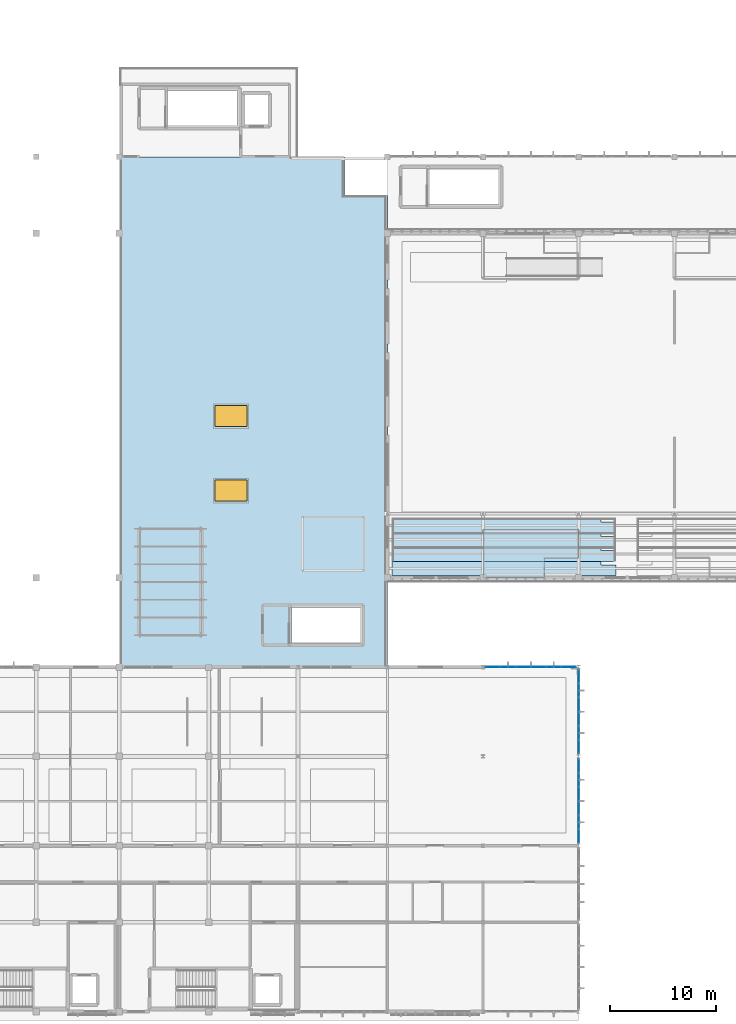
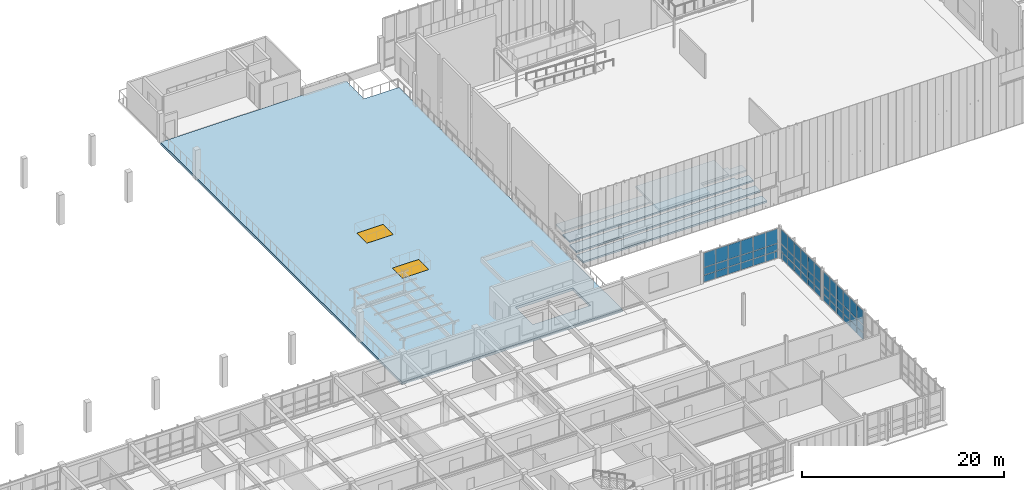
# One storey, part 36 of 67: 54 plates, 6 slabs, 2 windows, 2 openings, 3 elements without a shape of their own.
"""IFC4 building model written with IfcOpenShell, lengths in metres."""

from ifc_helpers import new_model, si_unit, direction, frame, origin, origin_2d, place, context, subcontext, project, spatial, polyline, rectangle, outline, extrude, material, layer, layer_set, type_object, element, fill, aggregate, save


model = new_model("IFC4")

# Units and contexts
model_context = context("Model", 3, precision=1e-05, world=origin(), true_north=direction((0.0, 1.0)))
body_context = subcontext(model_context, "Body", "Model", "MODEL_VIEW")
ifc_project = project(units=[si_unit("LENGTHUNIT", "METRE"), si_unit("AREAUNIT", "SQUARE_METRE"), si_unit("VOLUMEUNIT", "CUBIC_METRE"), si_unit("PLANEANGLEUNIT", "RADIAN"), si_unit("MASSUNIT", "GRAM", prefix="KILO")], contexts=[model_context])

# Site, building, storey
site_placement = place(None, origin())
site = spatial("IfcSite", under=ifc_project, at=site_placement, CompositionType="ELEMENT")
building_placement = place(site_placement, origin())
building = spatial("IfcBuilding", under=site, at=building_placement, Name="Tizgana Railside Sports Hall", CompositionType="ELEMENT")
storey_placement = place(building_placement, frame((0.0, 0.0, 12.0)))
storey = spatial("IfcBuildingStorey", under=building, at=storey_placement, Name="L02", CompositionType="ELEMENT", Elevation=12.0)

# Curtain wall, plates
ifc_material_1 = material(Name="Anodised aluminium and glass", Category="aluminium")
curtain_wall_type_1 = type_object("IfcCurtainWallType", Name="Unitised Curtain Wall Passage 1800", PredefinedType="NOTDEFINED", material=ifc_material_1)
curtain_wall_1_placement = place(storey_placement, origin())
curtain_wall_1 = element("IfcCurtainWall", 1, at=curtain_wall_1_placement, inside=storey, type_object=curtain_wall_type_1, Name="L02 Curtain Wall CW-0117", PredefinedType="NOTDEFINED")
ifc_material_2 = material(Name="Double low-E laminated glass", Category="glass")
ifc_layer_1 = layer(ifc_material_2, 0.033935546875, Name="Double low-E laminated glass")
ifc_layer_set_1 = layer_set([ifc_layer_1], Name="Double low-E laminated glass")
plate_type_1 = type_object("IfcPlateType", Name="Acoustic Laminated Glazing Panel 34", PredefinedType="CURTAIN_PANEL", material=ifc_layer_set_1)
plate_1_placement = place(storey_placement, frame((97.800048828125, 23.113037109375, 0.06494140625), z_axis=(0.0, 0.0, 1.0), x_axis=(0.0, -1.0, 0.0)))
plate_1 = element("IfcPlate", 2, at=plate_1_placement, type_object=plate_type_1, Name="CW-06 panel 1.1", PredefinedType="CURTAIN_PANEL", context=body_context, shape_type="SweptSolid", body=[
    extrude(rectangle(XDim=1.234130859375, YDim=0.033935546875, at=origin_2d()), origin(), (0.0, 0.0, 1.0), 0.802490234375),
])
plate_2_placement = place(storey_placement, frame((97.800048828125, 23.113037109375, 0.9326171875), z_axis=(0.0, 0.0, 1.0), x_axis=(0.0, -1.0, 0.0)))
plate_2 = element("IfcPlate", 3, at=plate_2_placement, type_object=plate_type_1, Name="CW-06 panel 1.2", PredefinedType="CURTAIN_PANEL", context=body_context, shape_type="SweptSolid", body=[
    extrude(rectangle(XDim=1.234130859375, YDim=0.033935546875, at=origin_2d()), origin(), (0.0, 0.0, 1.0), 0.85498046875),
])
plate_3_placement = place(storey_placement, frame((97.800048828125, 23.113037109375, 1.8525390625), z_axis=(0.0, 0.0, 1.0), x_axis=(0.0, -1.0, 0.0)))
plate_3 = element("IfcPlate", 4, at=plate_3_placement, type_object=plate_type_1, Name="CW-06 panel 1.3", PredefinedType="CURTAIN_PANEL", context=body_context, shape_type="SweptSolid", body=[
    extrude(rectangle(XDim=1.234130859375, YDim=0.033935546875, at=origin_2d()), origin(), (0.0, 0.0, 1.0), 1.722412109375),
])
plate_4_placement = place(storey_placement, frame((97.800048828125, 21.797607421875, 0.06494140625), z_axis=(0.0, 0.0, 1.0), x_axis=(0.0, -1.0, 0.0)))
plate_4 = element("IfcPlate", 5, at=plate_4_placement, type_object=plate_type_1, Name="CW-06 panel 2.1", PredefinedType="CURTAIN_PANEL", context=body_context, shape_type="SweptSolid", body=[
    extrude(rectangle(XDim=1.2666015625, YDim=0.033935546875, at=origin_2d()), origin(), (0.0, 0.0, 1.0), 0.802490234375),
])
plate_5_placement = place(storey_placement, frame((97.800048828125, 21.797607421875, 0.9326171875), z_axis=(0.0, 0.0, 1.0), x_axis=(0.0, -1.0, 0.0)))
plate_5 = element("IfcPlate", 6, at=plate_5_placement, type_object=plate_type_1, Name="CW-06 panel 2.2", PredefinedType="CURTAIN_PANEL", context=body_context, shape_type="SweptSolid", body=[
    extrude(rectangle(XDim=1.2666015625, YDim=0.033935546875, at=origin_2d()), origin(), (0.0, 0.0, 1.0), 0.85498046875),
])
plate_6_placement = place(storey_placement, frame((97.800048828125, 21.797607421875, 1.8525390625), z_axis=(0.0, 0.0, 1.0), x_axis=(0.0, -1.0, 0.0)))
plate_6 = element("IfcPlate", 7, at=plate_6_placement, type_object=plate_type_1, Name="CW-06 panel 2.3", PredefinedType="CURTAIN_PANEL", context=body_context, shape_type="SweptSolid", body=[
    extrude(rectangle(XDim=1.2666015625, YDim=0.033935546875, at=origin_2d()), origin(), (0.0, 0.0, 1.0), 1.722412109375),
])
plate_7_placement = place(storey_placement, frame((97.800048828125, 20.4658203125, 0.06494140625), z_axis=(0.0, 0.0, 1.0), x_axis=(0.0, -1.0, 0.0)))
plate_7 = element("IfcPlate", 8, at=plate_7_placement, type_object=plate_type_1, Name="CW-06 panel 3.1", PredefinedType="CURTAIN_PANEL", context=body_context, shape_type="SweptSolid", body=[
    extrude(rectangle(XDim=1.2666015625, YDim=0.033935546875, at=origin_2d()), origin(), (0.0, 0.0, 1.0), 0.802490234375),
])
plate_8_placement = place(storey_placement, frame((97.800048828125, 20.4658203125, 0.9326171875), z_axis=(0.0, 0.0, 1.0), x_axis=(0.0, -1.0, 0.0)))
plate_8 = element("IfcPlate", 9, at=plate_8_placement, type_object=plate_type_1, Name="CW-06 panel 3.2", PredefinedType="CURTAIN_PANEL", context=body_context, shape_type="SweptSolid", body=[
    extrude(rectangle(XDim=1.2666015625, YDim=0.033935546875, at=origin_2d()), origin(), (0.0, 0.0, 1.0), 0.85498046875),
])
plate_9_placement = place(storey_placement, frame((97.800048828125, 20.4658203125, 1.8525390625), z_axis=(0.0, 0.0, 1.0), x_axis=(0.0, -1.0, 0.0)))
plate_9 = element("IfcPlate", 10, at=plate_9_placement, type_object=plate_type_1, Name="CW-06 panel 3.3", PredefinedType="CURTAIN_PANEL", context=body_context, shape_type="SweptSolid", body=[
    extrude(rectangle(XDim=1.2666015625, YDim=0.033935546875, at=origin_2d()), origin(), (0.0, 0.0, 1.0), 1.722412109375),
])
plate_10_placement = place(storey_placement, frame((97.800048828125, 19.13427734375, 0.06494140625), z_axis=(0.0, 0.0, 1.0), x_axis=(0.0, -1.0, 0.0)))
plate_10 = element("IfcPlate", 11, at=plate_10_placement, type_object=plate_type_1, Name="CW-06 panel 4.1", PredefinedType="CURTAIN_PANEL", context=body_context, shape_type="SweptSolid", body=[
    extrude(rectangle(XDim=1.2666015625, YDim=0.033935546875, at=origin_2d()), origin(), (0.0, 0.0, 1.0), 0.802490234375),
])
plate_11_placement = place(storey_placement, frame((97.800048828125, 19.13427734375, 0.9326171875), z_axis=(0.0, 0.0, 1.0), x_axis=(0.0, -1.0, 0.0)))
plate_11 = element("IfcPlate", 12, at=plate_11_placement, type_object=plate_type_1, Name="CW-06 panel 4.2", PredefinedType="CURTAIN_PANEL", context=body_context, shape_type="SweptSolid", body=[
    extrude(rectangle(XDim=1.2666015625, YDim=0.033935546875, at=origin_2d()), origin(), (0.0, 0.0, 1.0), 0.85498046875),
])
plate_12_placement = place(storey_placement, frame((97.800048828125, 19.13427734375, 1.8525390625), z_axis=(0.0, 0.0, 1.0), x_axis=(0.0, -1.0, 0.0)))
plate_12 = element("IfcPlate", 13, at=plate_12_placement, type_object=plate_type_1, Name="CW-06 panel 4.3", PredefinedType="CURTAIN_PANEL", context=body_context, shape_type="SweptSolid", body=[
    extrude(rectangle(XDim=1.2666015625, YDim=0.033935546875, at=origin_2d()), origin(), (0.0, 0.0, 1.0), 1.722412109375),
])
plate_13_placement = place(storey_placement, frame((97.800048828125, 17.802490234375, 0.06494140625), z_axis=(0.0, 0.0, 1.0), x_axis=(0.0, -1.0, 0.0)))
plate_13 = element("IfcPlate", 14, at=plate_13_placement, type_object=plate_type_1, Name="CW-06 panel 5.1", PredefinedType="CURTAIN_PANEL", context=body_context, shape_type="SweptSolid", body=[
    extrude(rectangle(XDim=1.2666015625, YDim=0.033935546875, at=origin_2d()), origin(), (0.0, 0.0, 1.0), 0.802490234375),
])
plate_14_placement = place(storey_placement, frame((97.800048828125, 17.802490234375, 0.9326171875), z_axis=(0.0, 0.0, 1.0), x_axis=(0.0, -1.0, 0.0)))
plate_14 = element("IfcPlate", 15, at=plate_14_placement, type_object=plate_type_1, Name="CW-06 panel 5.2", PredefinedType="CURTAIN_PANEL", context=body_context, shape_type="SweptSolid", body=[
    extrude(rectangle(XDim=1.2666015625, YDim=0.033935546875, at=origin_2d()), origin(), (0.0, 0.0, 1.0), 0.85498046875),
])
plate_15_placement = place(storey_placement, frame((97.800048828125, 17.802490234375, 1.8525390625), z_axis=(0.0, 0.0, 1.0), x_axis=(0.0, -1.0, 0.0)))
plate_15 = element("IfcPlate", 16, at=plate_15_placement, type_object=plate_type_1, Name="CW-06 panel 5.3", PredefinedType="CURTAIN_PANEL", context=body_context, shape_type="SweptSolid", body=[
    extrude(rectangle(XDim=1.2666015625, YDim=0.033935546875, at=origin_2d()), origin(), (0.0, 0.0, 1.0), 1.722412109375),
])
plate_16_placement = place(storey_placement, frame((97.800048828125, 16.487060546875, 0.06494140625), z_axis=(0.0, 0.0, 1.0), x_axis=(0.0, -1.0, 0.0)))
plate_16 = element("IfcPlate", 17, at=plate_16_placement, type_object=plate_type_1, Name="CW-06 panel 6.1", PredefinedType="CURTAIN_PANEL", context=body_context, shape_type="SweptSolid", body=[
    extrude(rectangle(XDim=1.234130859375, YDim=0.033935546875, at=origin_2d()), origin(), (0.0, 0.0, 1.0), 0.802490234375),
])
plate_17_placement = place(storey_placement, frame((97.800048828125, 16.487060546875, 0.9326171875), z_axis=(0.0, 0.0, 1.0), x_axis=(0.0, -1.0, 0.0)))
plate_17 = element("IfcPlate", 18, at=plate_17_placement, type_object=plate_type_1, Name="CW-06 panel 6.2", PredefinedType="CURTAIN_PANEL", context=body_context, shape_type="SweptSolid", body=[
    extrude(rectangle(XDim=1.234130859375, YDim=0.033935546875, at=origin_2d()), origin(), (0.0, 0.0, 1.0), 0.85498046875),
])
plate_18_placement = place(storey_placement, frame((97.800048828125, 16.487060546875, 1.8525390625), z_axis=(0.0, 0.0, 1.0), x_axis=(0.0, -1.0, 0.0)))
plate_18 = element("IfcPlate", 19, at=plate_18_placement, type_object=plate_type_1, Name="CW-06 panel 6.3", PredefinedType="CURTAIN_PANEL", context=body_context, shape_type="SweptSolid", body=[
    extrude(rectangle(XDim=1.234130859375, YDim=0.033935546875, at=origin_2d()), origin(), (0.0, 0.0, 1.0), 1.722412109375),
])
aggregate(curtain_wall_1, [plate_1, plate_2, plate_3, plate_4, plate_5, plate_6, plate_7, plate_8, plate_9, plate_10, plate_11, plate_12, plate_13, plate_14, plate_15, plate_16, plate_17, plate_18])

curtain_wall_type_2 = type_object("IfcCurtainWallType", Name="Unitised Curtain Wall WestHall 1560", PredefinedType="NOTDEFINED", material=ifc_material_1)
curtain_wall_2_placement = place(storey_placement, origin())
curtain_wall_2 = element("IfcCurtainWall", 20, at=curtain_wall_2_placement, inside=storey, type_object=curtain_wall_type_2, Name="L02 Curtain Wall CW-0110", PredefinedType="NOTDEFINED")
ifc_layer_2 = layer(ifc_material_2, 0.0400390625, Name="Double low-E laminated glass")
ifc_layer_set_2 = layer_set([ifc_layer_2], Name="Double low-E laminated glass")
plate_type_2 = type_object("IfcPlateType", Name="High-Span Tempered Glazing Panel 40", PredefinedType="CURTAIN_PANEL", material=ifc_layer_set_2)
plate_19_placement = place(storey_placement, frame((89.73583984375, 32.39990234375, 0.06005859375), z_axis=(0.0, 0.0, 1.0), x_axis=(1.0, 0.0, 0.0)))
plate_19 = element("IfcPlate", 21, at=plate_19_placement, type_object=plate_type_2, Name="CW-07 panel 1.1", PredefinedType="CURTAIN_PANEL", context=body_context, shape_type="SweptSolid", body=[
    extrude(rectangle(XDim=1.341552734375, YDim=0.0400390625, at=origin_2d()), origin(), (0.0, 0.0, 1.0), 0.81005859375),
])
plate_20_placement = place(storey_placement, frame((89.73583984375, 32.39990234375, 0.93017578125), z_axis=(0.0, 0.0, 1.0), x_axis=(1.0, 0.0, 0.0)))
plate_20 = element("IfcPlate", 22, at=plate_20_placement, type_object=plate_type_2, Name="CW-07 panel 1.2", PredefinedType="CURTAIN_PANEL", context=body_context, shape_type="SweptSolid", body=[
    extrude(rectangle(XDim=1.341552734375, YDim=0.0400390625, at=origin_2d()), origin(), (0.0, 0.0, 1.0), 0.860107421875),
])
plate_21_placement = place(storey_placement, frame((89.73583984375, 32.39990234375, 1.85009765625), z_axis=(0.0, 0.0, 1.0), x_axis=(1.0, 0.0, 0.0)))
plate_21 = element("IfcPlate", 23, at=plate_21_placement, type_object=plate_type_2, Name="CW-07 panel 1.3", PredefinedType="CURTAIN_PANEL", context=body_context, shape_type="SweptSolid", body=[
    extrude(rectangle(XDim=1.341552734375, YDim=0.0400390625, at=origin_2d()), origin(), (0.0, 0.0, 1.0), 1.72998046875),
])
plate_22_placement = place(storey_placement, frame((91.152587890625, 32.39990234375, 0.06005859375), z_axis=(0.0, 0.0, 1.0), x_axis=(1.0, 0.0, 0.0)))
plate_22 = element("IfcPlate", 24, at=plate_22_placement, type_object=plate_type_2, Name="CW-07 panel 2.1", PredefinedType="CURTAIN_PANEL", context=body_context, shape_type="SweptSolid", body=[
    extrude(rectangle(XDim=1.37158203125, YDim=0.0400390625, at=origin_2d()), origin(), (0.0, 0.0, 1.0), 0.81005859375),
])
plate_23_placement = place(storey_placement, frame((91.152587890625, 32.39990234375, 0.93017578125), z_axis=(0.0, 0.0, 1.0), x_axis=(1.0, 0.0, 0.0)))
plate_23 = element("IfcPlate", 25, at=plate_23_placement, type_object=plate_type_2, Name="CW-07 panel 2.2", PredefinedType="CURTAIN_PANEL", context=body_context, shape_type="SweptSolid", body=[
    extrude(rectangle(XDim=1.37158203125, YDim=0.0400390625, at=origin_2d()), origin(), (0.0, 0.0, 1.0), 0.860107421875),
])
plate_24_placement = place(storey_placement, frame((91.152587890625, 32.39990234375, 1.85009765625), z_axis=(0.0, 0.0, 1.0), x_axis=(1.0, 0.0, 0.0)))
plate_24 = element("IfcPlate", 26, at=plate_24_placement, type_object=plate_type_2, Name="CW-07 panel 2.3", PredefinedType="CURTAIN_PANEL", context=body_context, shape_type="SweptSolid", body=[
    extrude(rectangle(XDim=1.37158203125, YDim=0.0400390625, at=origin_2d()), origin(), (0.0, 0.0, 1.0), 1.72998046875),
])
plate_25_placement = place(storey_placement, frame((92.584228515625, 32.39990234375, 0.06005859375), z_axis=(0.0, 0.0, 1.0), x_axis=(1.0, 0.0, 0.0)))
plate_25 = element("IfcPlate", 27, at=plate_25_placement, type_object=plate_type_2, Name="CW-07 panel 3.1", PredefinedType="CURTAIN_PANEL", context=body_context, shape_type="SweptSolid", body=[
    extrude(rectangle(XDim=1.37158203125, YDim=0.0400390625, at=origin_2d()), origin(), (0.0, 0.0, 1.0), 0.81005859375),
])
plate_26_placement = place(storey_placement, frame((92.584228515625, 32.39990234375, 0.93017578125), z_axis=(0.0, 0.0, 1.0), x_axis=(1.0, 0.0, 0.0)))
plate_26 = element("IfcPlate", 28, at=plate_26_placement, type_object=plate_type_2, Name="CW-07 panel 3.2", PredefinedType="CURTAIN_PANEL", context=body_context, shape_type="SweptSolid", body=[
    extrude(rectangle(XDim=1.37158203125, YDim=0.0400390625, at=origin_2d()), origin(), (0.0, 0.0, 1.0), 0.860107421875),
])
plate_27_placement = place(storey_placement, frame((92.584228515625, 32.39990234375, 1.85009765625), z_axis=(0.0, 0.0, 1.0), x_axis=(1.0, 0.0, 0.0)))
plate_27 = element("IfcPlate", 29, at=plate_27_placement, type_object=plate_type_2, Name="CW-07 panel 3.3", PredefinedType="CURTAIN_PANEL", context=body_context, shape_type="SweptSolid", body=[
    extrude(rectangle(XDim=1.37158203125, YDim=0.0400390625, at=origin_2d()), origin(), (0.0, 0.0, 1.0), 1.72998046875),
])
plate_28_placement = place(storey_placement, frame((94.015869140625, 32.39990234375, 0.06005859375), z_axis=(0.0, 0.0, 1.0), x_axis=(1.0, 0.0, 0.0)))
plate_28 = element("IfcPlate", 30, at=plate_28_placement, type_object=plate_type_2, Name="CW-07 panel 4.1", PredefinedType="CURTAIN_PANEL", context=body_context, shape_type="SweptSolid", body=[
    extrude(rectangle(XDim=1.37158203125, YDim=0.0400390625, at=origin_2d()), origin(), (0.0, 0.0, 1.0), 0.81005859375),
])
plate_29_placement = place(storey_placement, frame((94.015869140625, 32.39990234375, 0.93017578125), z_axis=(0.0, 0.0, 1.0), x_axis=(1.0, 0.0, 0.0)))
plate_29 = element("IfcPlate", 31, at=plate_29_placement, type_object=plate_type_2, Name="CW-07 panel 4.2", PredefinedType="CURTAIN_PANEL", context=body_context, shape_type="SweptSolid", body=[
    extrude(rectangle(XDim=1.37158203125, YDim=0.0400390625, at=origin_2d()), origin(), (0.0, 0.0, 1.0), 0.860107421875),
])
plate_30_placement = place(storey_placement, frame((94.015869140625, 32.39990234375, 1.85009765625), z_axis=(0.0, 0.0, 1.0), x_axis=(1.0, 0.0, 0.0)))
plate_30 = element("IfcPlate", 32, at=plate_30_placement, type_object=plate_type_2, Name="CW-07 panel 4.3", PredefinedType="CURTAIN_PANEL", context=body_context, shape_type="SweptSolid", body=[
    extrude(rectangle(XDim=1.37158203125, YDim=0.0400390625, at=origin_2d()), origin(), (0.0, 0.0, 1.0), 1.72998046875),
])
plate_31_placement = place(storey_placement, frame((95.447509765625, 32.39990234375, 0.06005859375), z_axis=(0.0, 0.0, 1.0), x_axis=(1.0, 0.0, 0.0)))
plate_31 = element("IfcPlate", 33, at=plate_31_placement, type_object=plate_type_2, Name="CW-07 panel 5.1", PredefinedType="CURTAIN_PANEL", context=body_context, shape_type="SweptSolid", body=[
    extrude(rectangle(XDim=1.37158203125, YDim=0.0400390625, at=origin_2d()), origin(), (0.0, 0.0, 1.0), 0.81005859375),
])
plate_32_placement = place(storey_placement, frame((95.447509765625, 32.39990234375, 0.93017578125), z_axis=(0.0, 0.0, 1.0), x_axis=(1.0, 0.0, 0.0)))
plate_32 = element("IfcPlate", 34, at=plate_32_placement, type_object=plate_type_2, Name="CW-07 panel 5.2", PredefinedType="CURTAIN_PANEL", context=body_context, shape_type="SweptSolid", body=[
    extrude(rectangle(XDim=1.37158203125, YDim=0.0400390625, at=origin_2d()), origin(), (0.0, 0.0, 1.0), 0.860107421875),
])
plate_33_placement = place(storey_placement, frame((95.447509765625, 32.39990234375, 1.85009765625), z_axis=(0.0, 0.0, 1.0), x_axis=(1.0, 0.0, 0.0)))
plate_33 = element("IfcPlate", 35, at=plate_33_placement, type_object=plate_type_2, Name="CW-07 panel 5.3", PredefinedType="CURTAIN_PANEL", context=body_context, shape_type="SweptSolid", body=[
    extrude(rectangle(XDim=1.37158203125, YDim=0.0400390625, at=origin_2d()), origin(), (0.0, 0.0, 1.0), 1.72998046875),
])
plate_34_placement = place(storey_placement, frame((96.8642578125, 32.39990234375, 0.06005859375), z_axis=(0.0, 0.0, 1.0), x_axis=(1.0, 0.0, 0.0)))
plate_34 = element("IfcPlate", 36, at=plate_34_placement, type_object=plate_type_2, Name="CW-07 panel 6.1", PredefinedType="CURTAIN_PANEL", context=body_context, shape_type="SweptSolid", body=[
    extrude(rectangle(XDim=1.341552734375, YDim=0.0400390625, at=origin_2d()), origin(), (0.0, 0.0, 1.0), 0.81005859375),
])
plate_35_placement = place(storey_placement, frame((96.8642578125, 32.39990234375, 0.93017578125), z_axis=(0.0, 0.0, 1.0), x_axis=(1.0, 0.0, 0.0)))
plate_35 = element("IfcPlate", 37, at=plate_35_placement, type_object=plate_type_2, Name="CW-07 panel 6.2", PredefinedType="CURTAIN_PANEL", context=body_context, shape_type="SweptSolid", body=[
    extrude(rectangle(XDim=1.341552734375, YDim=0.0400390625, at=origin_2d()), origin(), (0.0, 0.0, 1.0), 0.860107421875),
])
plate_36_placement = place(storey_placement, frame((96.8642578125, 32.39990234375, 1.85009765625), z_axis=(0.0, 0.0, 1.0), x_axis=(1.0, 0.0, 0.0)))
plate_36 = element("IfcPlate", 38, at=plate_36_placement, type_object=plate_type_2, Name="CW-07 panel 6.3", PredefinedType="CURTAIN_PANEL", context=body_context, shape_type="SweptSolid", body=[
    extrude(rectangle(XDim=1.341552734375, YDim=0.0400390625, at=origin_2d()), origin(), (0.0, 0.0, 1.0), 1.72998046875),
])
aggregate(curtain_wall_2, [plate_19, plate_20, plate_21, plate_22, plate_23, plate_24, plate_25, plate_26, plate_27, plate_28, plate_29, plate_30, plate_31, plate_32, plate_33, plate_34, plate_35, plate_36])

curtain_wall_3_placement = place(storey_placement, origin())
curtain_wall_3 = element("IfcCurtainWall", 39, at=curtain_wall_3_placement, inside=storey, type_object=curtain_wall_type_2, Name="L02 Curtain Wall CW-0118", PredefinedType="NOTDEFINED")
plate_37_placement = place(storey_placement, frame((97.800048828125, 31.51171875, 0.070068359375), z_axis=(0.0, 0.0, 1.0), x_axis=(0.0, -1.0, 0.0)))
plate_37 = element("IfcPlate", 40, at=plate_37_placement, type_object=plate_type_2, Name="CW-07 panel 1.1", PredefinedType="CURTAIN_PANEL", context=body_context, shape_type="SweptSolid", body=[
    extrude(rectangle(XDim=1.2265625, YDim=0.0400390625, at=origin_2d()), origin(), (0.0, 0.0, 1.0), 0.794921875),
])
plate_38_placement = place(storey_placement, frame((97.800048828125, 31.51171875, 0.93505859375), z_axis=(0.0, 0.0, 1.0), x_axis=(0.0, -1.0, 0.0)))
plate_38 = element("IfcPlate", 41, at=plate_38_placement, type_object=plate_type_2, Name="CW-07 panel 1.2", PredefinedType="CURTAIN_PANEL", context=body_context, shape_type="SweptSolid", body=[
    extrude(rectangle(XDim=1.2265625, YDim=0.0400390625, at=origin_2d()), origin(), (0.0, 0.0, 1.0), 0.85009765625),
])
plate_39_placement = place(storey_placement, frame((97.800048828125, 31.51171875, 1.85498046875), z_axis=(0.0, 0.0, 1.0), x_axis=(0.0, -1.0, 0.0)))
plate_39 = element("IfcPlate", 42, at=plate_39_placement, type_object=plate_type_2, Name="CW-07 panel 1.3", PredefinedType="CURTAIN_PANEL", context=body_context, shape_type="SweptSolid", body=[
    extrude(rectangle(XDim=1.2265625, YDim=0.0400390625, at=origin_2d()), origin(), (0.0, 0.0, 1.0), 1.715087890625),
])
plate_40_placement = place(storey_placement, frame((97.800048828125, 30.197509765625, 0.070068359375), z_axis=(0.0, 0.0, 1.0), x_axis=(0.0, -1.0, 0.0)))
plate_40 = element("IfcPlate", 43, at=plate_40_placement, type_object=plate_type_2, Name="CW-07 panel 2.1", PredefinedType="CURTAIN_PANEL", context=body_context, shape_type="SweptSolid", body=[
    extrude(rectangle(XDim=1.26171875, YDim=0.0400390625, at=origin_2d()), origin(), (0.0, 0.0, 1.0), 0.794921875),
])
plate_41_placement = place(storey_placement, frame((97.800048828125, 30.197509765625, 0.93505859375), z_axis=(0.0, 0.0, 1.0), x_axis=(0.0, -1.0, 0.0)))
plate_41 = element("IfcPlate", 44, at=plate_41_placement, type_object=plate_type_2, Name="CW-07 panel 2.2", PredefinedType="CURTAIN_PANEL", context=body_context, shape_type="SweptSolid", body=[
    extrude(rectangle(XDim=1.26171875, YDim=0.0400390625, at=origin_2d()), origin(), (0.0, 0.0, 1.0), 0.85009765625),
])
plate_42_placement = place(storey_placement, frame((97.800048828125, 30.197509765625, 1.85498046875), z_axis=(0.0, 0.0, 1.0), x_axis=(0.0, -1.0, 0.0)))
plate_42 = element("IfcPlate", 45, at=plate_42_placement, type_object=plate_type_2, Name="CW-07 panel 2.3", PredefinedType="CURTAIN_PANEL", context=body_context, shape_type="SweptSolid", body=[
    extrude(rectangle(XDim=1.26171875, YDim=0.0400390625, at=origin_2d()), origin(), (0.0, 0.0, 1.0), 1.715087890625),
])
plate_43_placement = place(storey_placement, frame((97.800048828125, 28.86572265625, 0.070068359375), z_axis=(0.0, 0.0, 1.0), x_axis=(0.0, -1.0, 0.0)))
plate_43 = element("IfcPlate", 46, at=plate_43_placement, type_object=plate_type_2, Name="CW-07 panel 3.1", PredefinedType="CURTAIN_PANEL", context=body_context, shape_type="SweptSolid", body=[
    extrude(rectangle(XDim=1.26171875, YDim=0.0400390625, at=origin_2d()), origin(), (0.0, 0.0, 1.0), 0.794921875),
])
plate_44_placement = place(storey_placement, frame((97.800048828125, 28.86572265625, 0.93505859375), z_axis=(0.0, 0.0, 1.0), x_axis=(0.0, -1.0, 0.0)))
plate_44 = element("IfcPlate", 47, at=plate_44_placement, type_object=plate_type_2, Name="CW-07 panel 3.2", PredefinedType="CURTAIN_PANEL", context=body_context, shape_type="SweptSolid", body=[
    extrude(rectangle(XDim=1.26171875, YDim=0.0400390625, at=origin_2d()), origin(), (0.0, 0.0, 1.0), 0.85009765625),
])
plate_45_placement = place(storey_placement, frame((97.800048828125, 28.86572265625, 1.85498046875), z_axis=(0.0, 0.0, 1.0), x_axis=(0.0, -1.0, 0.0)))
plate_45 = element("IfcPlate", 48, at=plate_45_placement, type_object=plate_type_2, Name="CW-07 panel 3.3", PredefinedType="CURTAIN_PANEL", context=body_context, shape_type="SweptSolid", body=[
    extrude(rectangle(XDim=1.26171875, YDim=0.0400390625, at=origin_2d()), origin(), (0.0, 0.0, 1.0), 1.715087890625),
])
plate_46_placement = place(storey_placement, frame((97.800048828125, 27.5341796875, 0.070068359375), z_axis=(0.0, 0.0, 1.0), x_axis=(0.0, -1.0, 0.0)))
plate_46 = element("IfcPlate", 49, at=plate_46_placement, type_object=plate_type_2, Name="CW-07 panel 4.1", PredefinedType="CURTAIN_PANEL", context=body_context, shape_type="SweptSolid", body=[
    extrude(rectangle(XDim=1.26171875, YDim=0.0400390625, at=origin_2d()), origin(), (0.0, 0.0, 1.0), 0.794921875),
])
plate_47_placement = place(storey_placement, frame((97.800048828125, 27.5341796875, 0.93505859375), z_axis=(0.0, 0.0, 1.0), x_axis=(0.0, -1.0, 0.0)))
plate_47 = element("IfcPlate", 50, at=plate_47_placement, type_object=plate_type_2, Name="CW-07 panel 4.2", PredefinedType="CURTAIN_PANEL", context=body_context, shape_type="SweptSolid", body=[
    extrude(rectangle(XDim=1.26171875, YDim=0.0400390625, at=origin_2d()), origin(), (0.0, 0.0, 1.0), 0.85009765625),
])
plate_48_placement = place(storey_placement, frame((97.800048828125, 27.5341796875, 1.85498046875), z_axis=(0.0, 0.0, 1.0), x_axis=(0.0, -1.0, 0.0)))
plate_48 = element("IfcPlate", 51, at=plate_48_placement, type_object=plate_type_2, Name="CW-07 panel 4.3", PredefinedType="CURTAIN_PANEL", context=body_context, shape_type="SweptSolid", body=[
    extrude(rectangle(XDim=1.26171875, YDim=0.0400390625, at=origin_2d()), origin(), (0.0, 0.0, 1.0), 1.715087890625),
])
plate_49_placement = place(storey_placement, frame((97.800048828125, 26.202392578125, 0.070068359375), z_axis=(0.0, 0.0, 1.0), x_axis=(0.0, -1.0, 0.0)))
plate_49 = element("IfcPlate", 52, at=plate_49_placement, type_object=plate_type_2, Name="CW-07 panel 5.1", PredefinedType="CURTAIN_PANEL", context=body_context, shape_type="SweptSolid", body=[
    extrude(rectangle(XDim=1.26171875, YDim=0.0400390625, at=origin_2d()), origin(), (0.0, 0.0, 1.0), 0.794921875),
])
plate_50_placement = place(storey_placement, frame((97.800048828125, 26.202392578125, 0.93505859375), z_axis=(0.0, 0.0, 1.0), x_axis=(0.0, -1.0, 0.0)))
plate_50 = element("IfcPlate", 53, at=plate_50_placement, type_object=plate_type_2, Name="CW-07 panel 5.2", PredefinedType="CURTAIN_PANEL", context=body_context, shape_type="SweptSolid", body=[
    extrude(rectangle(XDim=1.26171875, YDim=0.0400390625, at=origin_2d()), origin(), (0.0, 0.0, 1.0), 0.85009765625),
])
plate_51_placement = place(storey_placement, frame((97.800048828125, 26.202392578125, 1.85498046875), z_axis=(0.0, 0.0, 1.0), x_axis=(0.0, -1.0, 0.0)))
plate_51 = element("IfcPlate", 54, at=plate_51_placement, type_object=plate_type_2, Name="CW-07 panel 5.3", PredefinedType="CURTAIN_PANEL", context=body_context, shape_type="SweptSolid", body=[
    extrude(rectangle(XDim=1.26171875, YDim=0.0400390625, at=origin_2d()), origin(), (0.0, 0.0, 1.0), 1.715087890625),
])
plate_52_placement = place(storey_placement, frame((97.800048828125, 24.888427734375, 0.070068359375), z_axis=(0.0, 0.0, 1.0), x_axis=(0.0, -1.0, 0.0)))
plate_52 = element("IfcPlate", 55, at=plate_52_placement, type_object=plate_type_2, Name="CW-07 panel 6.1", PredefinedType="CURTAIN_PANEL", context=body_context, shape_type="SweptSolid", body=[
    extrude(rectangle(XDim=1.2265625, YDim=0.0400390625, at=origin_2d()), origin(), (0.0, 0.0, 1.0), 0.794921875),
])
plate_53_placement = place(storey_placement, frame((97.800048828125, 24.888427734375, 0.93505859375), z_axis=(0.0, 0.0, 1.0), x_axis=(0.0, -1.0, 0.0)))
plate_53 = element("IfcPlate", 56, at=plate_53_placement, type_object=plate_type_2, Name="CW-07 panel 6.2", PredefinedType="CURTAIN_PANEL", context=body_context, shape_type="SweptSolid", body=[
    extrude(rectangle(XDim=1.2265625, YDim=0.0400390625, at=origin_2d()), origin(), (0.0, 0.0, 1.0), 0.85009765625),
])
plate_54_placement = place(storey_placement, frame((97.800048828125, 24.888427734375, 1.85498046875), z_axis=(0.0, 0.0, 1.0), x_axis=(0.0, -1.0, 0.0)))
plate_54 = element("IfcPlate", 57, at=plate_54_placement, type_object=plate_type_2, Name="CW-07 panel 6.3", PredefinedType="CURTAIN_PANEL", context=body_context, shape_type="SweptSolid", body=[
    extrude(rectangle(XDim=1.2265625, YDim=0.0400390625, at=origin_2d()), origin(), (0.0, 0.0, 1.0), 1.715087890625),
])
aggregate(curtain_wall_3, [plate_37, plate_38, plate_39, plate_40, plate_41, plate_42, plate_43, plate_44, plate_45, plate_46, plate_47, plate_48, plate_49, plate_50, plate_51, plate_52, plate_53, plate_54])

# Slab, openings, windows
ifc_material_3 = material(Name="Concrete C35/45", Category="concrete")
ifc_layer_3 = layer(ifc_material_3, 0.31005859375, Name="Concrete C35/45")
ifc_layer_set_3 = layer_set([ifc_layer_3], Name="Concrete C35/45")
slab_type_1 = type_object("IfcSlabType", Name="Planted Roof Garden Deck 310", PredefinedType="FLOOR", material=ifc_layer_set_3)
slab_1_placement = place(storey_placement, frame((0.0, 0.0, -0.31005859375)))
slab_1 = element("IfcSlab", 58, at=slab_1_placement, inside=storey, type_object=slab_type_1, Name="L02 V4 Planted Roof Garden SLB-0029", PredefinedType="FLOOR", context=body_context, shape_type="SweptSolid", body=[
    extrude(outline(polyline([(54.60009765625, 32.449951171875), (79.800048828125, 32.449951171875), (79.800048828125, 76.75), (75.800048828125, 76.75), (75.800048828125, 80.35009765625), (54.60009765625, 80.35009765625), (54.60009765625, 32.449951171875)]), holes=[polyline([(70.780029296875, 34.60009765625), (77.39990234375, 34.60009765625), (77.39990234375, 38.10009765625), (70.780029296875, 38.10009765625), (70.780029296875, 34.60009765625)]), polyline([(63.60009765625, 48.0), (66.60009765625, 48.0), (66.60009765625, 50.0), (63.60009765625, 50.0), (63.60009765625, 48.0)]), polyline([(63.60009765625, 55.0), (66.60009765625, 55.0), (66.60009765625, 57.0), (63.60009765625, 57.0), (63.60009765625, 55.0)])]), origin(), (0.0, 0.0, 1.0), 0.31005859375),
])
opening_1_placement = place(slab_1_placement, frame((65.10009765625, 49.0, 0.0)))
opening_1 = element("IfcOpeningElement", 59, at=opening_1_placement, cuts=slab_1, Name="Opening W-0097", PredefinedType="OPENING", context=body_context, shape_type="SweptSolid", body=[
    extrude(rectangle(XDim=3.0, YDim=2.0, at=origin_2d()), origin(), (0.0, 0.0, 1.0), 0.31005859375),
])
opening_2_placement = place(slab_1_placement, frame((65.10009765625, 56.0, 0.0)))
opening_2 = element("IfcOpeningElement", 60, at=opening_2_placement, cuts=slab_1, Name="Opening W-0098", PredefinedType="OPENING", context=body_context, shape_type="SweptSolid", body=[
    extrude(rectangle(XDim=3.0, YDim=2.0, at=origin_2d()), origin(), (0.0, 0.0, 1.0), 0.31005859375),
])
window_type = type_object("IfcWindowType", Name="Foyer Atrium Smoke Skylight 3000x2000", PartitioningType="SINGLE_PANEL", PredefinedType="SKYLIGHT", material=ifc_material_2)
window_1_placement = place(opening_1_placement, frame((0.0, 0.0, 0.260009765625)))
window_1 = element("IfcWindow", 61, at=window_1_placement, inside=storey, type_object=window_type, Name="L02 Smoke Skylight W-0097", OverallHeight=2.0, OverallWidth=3.0, PartitioningType="SINGLE_PANEL", PredefinedType="SKYLIGHT", context=body_context, shape_type="SweptSolid", body=[
    extrude(rectangle(XDim=3.0, YDim=2.0, at=origin_2d()), origin(), (0.0, 0.0, 1.0), 0.050048828125),
])
fill(opening_1, window_1)
window_2_placement = place(opening_2_placement, frame((0.0, 0.0, 0.260009765625)))
window_2 = element("IfcWindow", 62, at=window_2_placement, inside=storey, type_object=window_type, Name="L02 Smoke Skylight W-0098", OverallHeight=2.0, OverallWidth=3.0, PartitioningType="SINGLE_PANEL", PredefinedType="SKYLIGHT", context=body_context, shape_type="SweptSolid", body=[
    extrude(rectangle(XDim=3.0, YDim=2.0, at=origin_2d()), origin(), (0.0, 0.0, 1.0), 0.050048828125),
])
fill(opening_2, window_2)

# Slabs
ifc_material_4 = material(Name="Precast concrete C40/50", Category="concrete")
ifc_layer_4 = layer(ifc_material_4, 0.2099609375, Name="Precast concrete C40/50")
ifc_layer_set_4 = layer_set([ifc_layer_4], Name="Precast concrete C40/50")
slab_type_2 = type_object("IfcSlabType", Name="Spectator Seating Tier Slab 210", PredefinedType="USERDEFINED", material=ifc_layer_set_4)
slab_2_placement = place(storey_placement, frame((0.0, 0.0, 0.2099609375)))
element("IfcSlab", 63, at=slab_2_placement, inside=storey, type_object=slab_type_2, Name="L02 Court 3 South Stand W1 SLB-0063", ObjectType="SEATING_TIER", PredefinedType="USERDEFINED", context=body_context, shape_type="SweptSolid", body=[
    extrude(outline(polyline([(80.25, 41.0), (101.300048828125, 41.0), (101.300048828125, 42.0), (99.89990234375, 42.0), (99.89990234375, 42.35009765625), (80.25, 42.35009765625), (80.25, 41.0)])), origin(), (0.0, 0.0, 1.0), 0.2099609375),
])
slab_3_placement = place(storey_placement, frame((0.0, 0.0, 0.6298828125)))
element("IfcSlab", 64, at=slab_3_placement, inside=storey, type_object=slab_type_2, Name="L02 Court 3 South Stand W2 SLB-0065", ObjectType="SEATING_TIER", PredefinedType="USERDEFINED", context=body_context, shape_type="SweptSolid", body=[
    extrude(outline(polyline([(80.25, 42.35009765625), (101.300048828125, 42.35009765625), (101.300048828125, 43.35009765625), (99.89990234375, 43.35009765625), (99.89990234375, 43.699951171875), (80.25, 43.699951171875), (80.25, 42.35009765625)])), origin(), (0.0, 0.0, 1.0), 0.210205078125),
])
ifc_layer_5 = layer(ifc_material_3, 0.22998046875, Name="Concrete C35/45")
ifc_layer_set_5 = layer_set([ifc_layer_5], Name="Concrete C35/45")
slab_type_3 = type_object("IfcSlabType", Name="Suspended Gallery Floor Slab 230", PredefinedType="FLOOR", material=ifc_layer_set_5)
slab_4_placement = place(storey_placement, frame((0.0, 0.0, 3.669921875)))
element("IfcSlab", 65, at=slab_4_placement, inside=storey, type_object=slab_type_3, Name="L02 V2 Court3 Catwalk SW SLB-0123", PredefinedType="FLOOR", context=body_context, shape_type="SweptSolid", body=[
    extrude(outline(polyline([(88.800048828125, 40.800048828125), (94.60009765625, 40.800048828125), (94.60009765625, 42.60009765625), (97.800048828125, 42.60009765625), (97.800048828125, 45.39990234375), (88.800048828125, 45.39990234375), (88.800048828125, 40.800048828125)])), origin(), (0.0, 0.0, 1.0), 0.22998046875),
])
ifc_layer_6 = layer(ifc_material_4, 0.18994140625, Name="Precast concrete C40/50")
ifc_layer_set_6 = layer_set([ifc_layer_6], Name="Precast concrete C40/50")
slab_type_4 = type_object("IfcSlabType", Name="Upper Bowl Seating Tier Slab 190", PredefinedType="USERDEFINED", material=ifc_layer_set_6)
slab_5_placement = place(storey_placement, frame((0.0, 0.0, 1.070068359375)))
element("IfcSlab", 66, at=slab_5_placement, inside=storey, type_object=slab_type_4, Name="L02 Court 3 South Stand W3 SLB-0067", ObjectType="SEATING_TIER", PredefinedType="USERDEFINED", context=body_context, shape_type="SweptSolid", body=[
    extrude(outline(polyline([(80.25, 43.699951171875), (101.300048828125, 43.699951171875), (101.300048828125, 44.699951171875), (99.89990234375, 44.699951171875), (99.89990234375, 45.050048828125), (80.25, 45.050048828125), (80.25, 43.699951171875)])), origin(), (0.0, 0.0, 1.0), 0.18994140625),
])
slab_6_placement = place(storey_placement, frame((0.0, 0.0, 1.489990234375)))
element("IfcSlab", 67, at=slab_6_placement, inside=storey, type_object=slab_type_4, Name="L02 Court 3 South Stand W4 SLB-0069", ObjectType="SEATING_TIER", PredefinedType="USERDEFINED", context=body_context, shape_type="SweptSolid", body=[
    extrude(outline(polyline([(80.25, 45.050048828125), (101.300048828125, 45.050048828125), (101.300048828125, 46.050048828125), (99.89990234375, 46.050048828125), (99.89990234375, 46.39990234375), (80.25, 46.39990234375), (80.25, 45.050048828125)])), origin(), (0.0, 0.0, 1.0), 0.18994140625),
])

save(model, "model.ifc")
